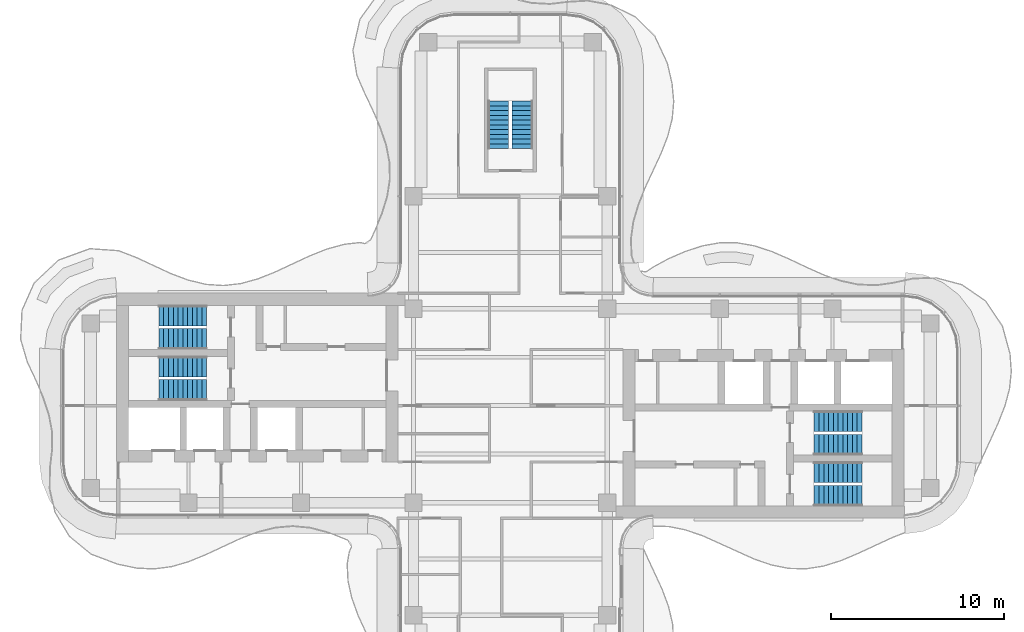
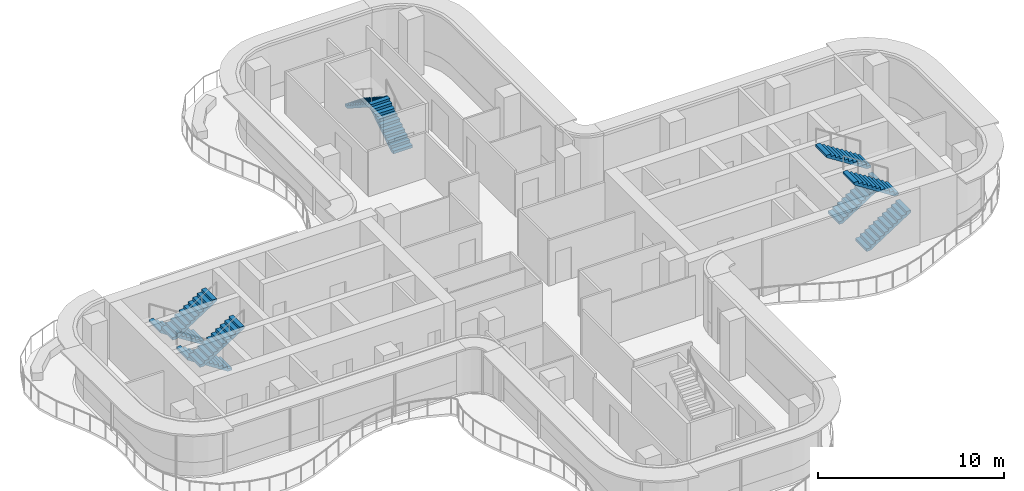
# One storey, part 15 of 17: 10 stair flights, 5 elements without a shape of their own.
"""IFC4 building model written with IfcOpenShell, lengths in metres."""

import ifcopenshell
import ifcopenshell.guid

model = None  # the IFC model being written
_history = None  # IfcOwnerHistory: only IFC2X3 demands one
_inside = {}  # id of a spatial element -> (the spatial element, [elements in it])
_under = {}  # id of a project, library or spatial element -> (it, [spatial elements below it])
_declared = {}  # id of a project -> (the project, [libraries it declares])
_typed = {}  # id of a type object -> (the type object, [elements of that type])
_made_of = {}  # id of a material, layer set ... -> (it, [elements and type objects made of it])


def new_model(schema):
    """Start an empty IFC model of exactly this schema.

    Asked for "IFC4X3", IfcOpenShell would pick the latest addendum, in which some entities
    have other attributes; the version numbers below select the first issue.
    IFC2X3 requires an IfcOwnerHistory on every rooted entity: one is made here for all.
    """
    global model, _history
    if schema == "IFC4X3":
        model = ifcopenshell.file(schema_version=(4, 3, 0, 0))
    else:
        model = ifcopenshell.file(schema=schema)
    _inside.clear()
    _under.clear()
    _declared.clear()
    _typed.clear()
    _made_of.clear()
    _history = None
    if model.schema == "IFC2X3":
        org = make("IfcOrganization", Name="unknown")
        user = make(
            "IfcPersonAndOrganization",
            ThePerson=make("IfcPerson", FamilyName="unknown"),
            TheOrganization=org,
        )
        app = make(
            "IfcApplication",
            ApplicationDeveloper=org,
            Version="unknown",
            ApplicationFullName="unknown",
            ApplicationIdentifier="unknown",
        )
        _history = make(
            "IfcOwnerHistory",
            OwningUser=user,
            OwningApplication=app,
            ChangeAction="ADDED",
            CreationDate=0,
        )
    return model


def make(cls, **values):
    """One entity of the class cls with the attributes given. An attribute that is None is left unset."""
    return model.create_entity(
        cls, **{name: value for name, value in values.items() if value is not None}
    )


def rooted(cls, **values):
    """An entity with a GlobalId (a new one), such as an element, a storey or a relation."""
    return make(cls, GlobalId=ifcopenshell.guid.new(), OwnerHistory=_history, **values)


def si_unit(unit_type, name, prefix=None):
    """IfcSIUnit, for example si_unit("LENGTHUNIT", "METRE", prefix="MILLI")."""
    return make("IfcSIUnit", UnitType=unit_type, Prefix=prefix, Name=name)


def assignment(units):
    """IfcUnitAssignment: the units of a project."""
    return None if units is None else make("IfcUnitAssignment", Units=units)


def point(xyz):
    """IfcCartesianPoint."""
    return None if xyz is None else make("IfcCartesianPoint", Coordinates=xyz)


def direction(xyz):
    """IfcDirection."""
    return None if xyz is None else make("IfcDirection", DirectionRatios=xyz)


def frame(location, z_axis=None, x_axis=None):
    """IfcAxis2Placement3D, a coordinate frame: its origin and axes. An axis left out is left unset."""
    return make(
        "IfcAxis2Placement3D",
        Location=point(location),
        Axis=direction(z_axis),
        RefDirection=direction(x_axis),
    )


def origin():
    """The frame at (0, 0, 0) with its axes left unset."""
    return frame((0.0, 0.0, 0.0))


def place(relative_to, where):
    """IfcLocalPlacement: puts the frame where relative to a parent placement (None: the world)."""
    return make(
        "IfcLocalPlacement", PlacementRelTo=relative_to, RelativePlacement=where
    )


def context(
    kind, dimensions, precision=None, world=None, true_north=None, identifier=None
):
    """IfcGeometricRepresentationContext, for example the 3D "Model" context."""
    return make(
        "IfcGeometricRepresentationContext",
        ContextIdentifier=identifier,
        ContextType=kind,
        CoordinateSpaceDimension=dimensions,
        Precision=precision,
        WorldCoordinateSystem=world,
        TrueNorth=true_north,
    )


def subcontext(parent, identifier, kind, view, scale=None):
    """IfcGeometricRepresentationSubContext, for example "Body" below "Model"."""
    return make(
        "IfcGeometricRepresentationSubContext",
        ContextIdentifier=identifier,
        ContextType=kind,
        ParentContext=parent,
        TargetScale=scale,
        TargetView=view,
    )


def project(units=None, contexts=None):
    """IfcProject with its units and contexts."""
    return rooted(
        "IfcProject",
        Name="project",
        RepresentationContexts=contexts,
        UnitsInContext=assignment(units),
    )


def spatial(cls, under=None, at=None, **own):
    """A site, building, storey or space (cls), placed at a placement, below another one or the project."""
    s = rooted(cls, ObjectPlacement=at, **own)
    if under is not None:
        _under.setdefault(under.id(), (under, []))[1].append(s)
    return s


def polyline(points):
    """IfcPolyline through the points."""
    return make("IfcPolyline", Points=[point(p) for p in points])


def outline(outer, holes=None, kind="AREA"):
    """IfcArbitraryClosedProfileDef: a profile drawn as a closed curve; with holes, ...WithVoids."""
    if holes is None:
        return make("IfcArbitraryClosedProfileDef", ProfileType=kind, OuterCurve=outer)
    return make(
        "IfcArbitraryProfileDefWithVoids",
        ProfileType=kind,
        OuterCurve=outer,
        InnerCurves=holes,
    )


def extrude(swept, where, along, depth):
    """IfcExtrudedAreaSolid: the profile swept, set in the frame where, extruded along a direction by depth."""
    return make(
        "IfcExtrudedAreaSolid",
        SweptArea=swept,
        Position=where,
        ExtrudedDirection=direction(along),
        Depth=depth,
    )


def shape(context_of_items, identifier, shape_type, items):
    """IfcShapeRepresentation: the items that make up one representation, for example the "Body"."""
    return make(
        "IfcShapeRepresentation",
        ContextOfItems=context_of_items,
        RepresentationIdentifier=identifier,
        RepresentationType=shape_type,
        Items=items,
    )


def source(mapping_origin, context_of_items, identifier, shape_type, items):
    """IfcRepresentationMap: a shape defined once, which mapped items show again and again."""
    return make(
        "IfcRepresentationMap",
        MappingOrigin=mapping_origin,
        MappedRepresentation=shape(context_of_items, identifier, shape_type, items),
    )


def transform(
    local_origin,
    x_axis=None,
    y_axis=None,
    z_axis=None,
    scale=None,
    scale2=None,
    scale3=None,
    uniform=True,
):
    """IfcCartesianTransformationOperator3D, or its non-uniform kind. x_axis, y_axis, z_axis: its Axis1, 2, 3."""
    if uniform:
        return make(
            "IfcCartesianTransformationOperator3D",
            Axis1=direction(x_axis),
            Axis2=direction(y_axis),
            LocalOrigin=point(local_origin),
            Scale=scale,
            Axis3=direction(z_axis),
        )
    return make(
        "IfcCartesianTransformationOperator3DnonUniform",
        Axis1=direction(x_axis),
        Axis2=direction(y_axis),
        LocalOrigin=point(local_origin),
        Scale=scale,
        Axis3=direction(z_axis),
        Scale2=scale2,
        Scale3=scale3,
    )


def mapped(mapping_source, mapping_target):
    """IfcMappedItem: shows the shape of a source again, moved by a transform."""
    return make(
        "IfcMappedItem", MappingSource=mapping_source, MappingTarget=mapping_target
    )


def material(Name=None, Category=None):
    """IfcMaterial."""
    return make("IfcMaterial", Name=Name, Category=Category)


def made_of(thing, what):
    """Note that an element or type object is made of a material, layer set ...; save() writes the relation."""
    if what is not None:
        _made_of.setdefault(what.id(), (what, []))[1].append(thing)
    return thing


def type_object(cls, material=None, **own):
    """A type object (cls), such as IfcWallType, which elements share."""
    return made_of(rooted(cls, **own), material)


def element(
    cls,
    number,
    at=None,
    inside=None,
    cuts=None,
    type_object=None,
    material=None,
    context=None,
    identifier="Body",
    shape_type=None,
    held_by="IfcProductDefinitionShape",
    body=None,
    shapes=None,
    **own,
):
    """One element of the class cls, such as IfcWall. Its Tag is "e" and its number.

    at: its placement. inside: the storey or other place that contains it. cuts: it is an
    opening in that element (IfcRelVoidsElement). A single representation is given by context,
    identifier, shape_type and body (its items); several are given by shapes. held_by: the class
    of the entity that holds the representations. save() writes the other relations.
    """
    e = rooted(cls, Tag="e%d" % number, ObjectPlacement=at, **own)
    if body is not None:
        shapes = [shape(context, identifier, shape_type, body)]
    if shapes is not None:
        e.Representation = make(held_by, Representations=shapes)
    if inside is not None:
        _inside.setdefault(inside.id(), (inside, []))[1].append(e)
    if cuts is not None:
        rooted(
            "IfcRelVoidsElement", RelatingBuildingElement=cuts, RelatedOpeningElement=e
        )
    if type_object is not None:
        _typed.setdefault(type_object.id(), (type_object, []))[1].append(e)
    return made_of(e, material)


def aggregate(whole, parts):
    """IfcRelAggregates: a whole, such as a stair, and the parts it consists of."""
    return rooted("IfcRelAggregates", RelatingObject=whole, RelatedObjects=parts)


def save(model, path):
    """Write the relations noted so far, then the file.

    IfcRelAggregates (storeys below a building ...), IfcRelContainedInSpatialStructure (elements
    in a storey), IfcRelDefinesByType, IfcRelAssociatesMaterial and IfcRelDeclares: one each for
    every whole, place, type object, material and project.
    """
    for whole, parts in _under.values():
        aggregate(whole, parts)
    for where, things in _inside.values():
        rooted(
            "IfcRelContainedInSpatialStructure",
            RelatedElements=things,
            RelatingStructure=where,
        )
    for kind, things in _typed.values():
        rooted("IfcRelDefinesByType", RelatedObjects=things, RelatingType=kind)
    for what, things in _made_of.values():
        rooted("IfcRelAssociatesMaterial", RelatedObjects=things, RelatingMaterial=what)
    for by, libraries in _declared.values():
        rooted("IfcRelDeclares", RelatingContext=by, RelatedDefinitions=libraries)
    model.write(path)


model = new_model("IFC4")

# Units and contexts
model_context = context("Model", 3, precision=1e-05, world=origin(), true_north=direction((0.0, 1.0)))
body_context = subcontext(model_context, "Body", "Model", "MODEL_VIEW")
ifc_project = project(units=[si_unit("LENGTHUNIT", "METRE"), si_unit("AREAUNIT", "SQUARE_METRE"), si_unit("VOLUMEUNIT", "CUBIC_METRE"), si_unit("PLANEANGLEUNIT", "RADIAN"), si_unit("MASSUNIT", "GRAM", prefix="KILO")], contexts=[model_context])

# Site, building, storey
site_placement = place(None, origin())
site = spatial("IfcSite", under=ifc_project, at=site_placement, CompositionType="ELEMENT")
building_placement = place(site_placement, origin())
building = spatial("IfcBuilding", under=site, at=building_placement, Name="Trellis Farm Tower", CompositionType="ELEMENT")
storey_placement = place(building_placement, frame((0.0, 0.0, 283.300048828125)))
storey = spatial("IfcBuildingStorey", under=building, at=storey_placement, Name="L63", CompositionType="ELEMENT", Elevation=283.300048828125)

# Stair, stair flights
ifc_material = material(Name="Concrete C50/60", Category="concrete")
stair_type = type_object("IfcStairType", Name="CORE EXIT STAIR 22 RISERS 177 MM", PredefinedType="HALF_TURN_STAIR", material=ifc_material)
placement = place(storey_placement, origin())
stair_1 = element("IfcStair", 1, at=placement, inside=storey, type_object=stair_type, Name="Exit stair N", PredefinedType="HALF_TURN_STAIR")
stair_flight_type = type_object("IfcStairFlightType", Name="STAIR FLIGHT 11 RISERS 177 MM", PredefinedType="STRAIGHT", material=ifc_material)
shared_shape = source(origin(), body_context, "Body", "SweptSolid", [
    extrude(outline(polyline([(0.0, 0.0), (0.0, 0.17724609375), (0.27490234375, 0.17724609375), (0.27490234375, 0.3544921875), (0.550048828125, 0.3544921875), (0.550048828125, 0.53173828125), (0.824951171875, 0.53173828125), (0.824951171875, 0.708984375), (1.10009765625, 0.708984375), (1.10009765625, 0.886474609375), (1.375, 0.886474609375), (1.375, 1.063720703125), (1.64990234375, 1.063720703125), (1.64990234375, 1.240966796875), (1.925048828125, 1.240966796875), (1.925048828125, 1.418212890625), (2.199951171875, 1.418212890625), (2.199951171875, 1.595458984375), (2.47509765625, 1.595458984375), (2.47509765625, 1.772705078125), (2.75, 1.772705078125), (2.75, 1.949951171875), (2.75, 1.6181640625), (0.23974609375, 0.0), (0.0, 0.0)])), frame((0.0, 0.60009765625, 0.0), z_axis=(0.0, -1.0, 0.0), x_axis=(1.0, 0.0, 0.0)), (0.0, 0.0, 1.0), 1.199951171875),
])
stair_flight_1_placement = place(storey_placement, frame((0.699951171875, 14.85009765625, 0.0), z_axis=(0.0, 0.0, 1.0), x_axis=(0.0, 1.0, 0.0)))
stair_flight_1 = element("IfcStairFlight", 2, at=stair_flight_1_placement, type_object=stair_flight_type, Name="STN flight 1", NumberOfRisers=11, NumberOfTreads=10, PredefinedType="STRAIGHT", RiserHeight=0.177272727, TreadLength=0.275, context=body_context, shape_type="MappedRepresentation", body=[
    mapped(shared_shape, transform((0.0, 0.0, 0.0))),
])
stair_flight_2_placement = place(storey_placement, frame((-0.699951171875, 17.60009765625, 1.949951171875), z_axis=(0.0, 0.0, 1.0), x_axis=(0.0, -1.0, 0.0)))
stair_flight_2 = element("IfcStairFlight", 3, at=stair_flight_2_placement, type_object=stair_flight_type, Name="STN flight 2", NumberOfRisers=11, NumberOfTreads=10, PredefinedType="STRAIGHT", RiserHeight=0.177272727, TreadLength=0.275, context=body_context, shape_type="MappedRepresentation", body=[
    mapped(shared_shape, transform((0.0, 0.0, 0.0))),
])
aggregate(stair_1, [stair_flight_1, stair_flight_2])

stair_2 = element("IfcStair", 4, at=placement, inside=storey, type_object=stair_type, Name="Exit stair E1", PredefinedType="HALF_TURN_STAIR")
stair_flight_3_placement = place(storey_placement, frame((17.550048828125, -5.199951171875, 0.0), z_axis=(0.0, 0.0, 1.0), x_axis=(1.0, 0.0, 0.0)))
stair_flight_3 = element("IfcStairFlight", 5, at=stair_flight_3_placement, type_object=stair_flight_type, Name="STE1 flight 1", NumberOfRisers=11, NumberOfTreads=10, PredefinedType="STRAIGHT", RiserHeight=0.177272727, TreadLength=0.275, context=body_context, shape_type="MappedRepresentation", body=[
    mapped(shared_shape, transform((0.0, 0.0, 0.0))),
])
stair_flight_4_placement = place(storey_placement, frame((20.300048828125, -3.85009765625, 1.949951171875), z_axis=(0.0, 0.0, 1.0), x_axis=(-1.0, 0.0, 0.0)))
stair_flight_4 = element("IfcStairFlight", 6, at=stair_flight_4_placement, type_object=stair_flight_type, Name="STE1 flight 2", NumberOfRisers=11, NumberOfTreads=10, PredefinedType="STRAIGHT", RiserHeight=0.177272727, TreadLength=0.275, context=body_context, shape_type="MappedRepresentation", body=[
    mapped(shared_shape, transform((0.0, 0.0, 0.0))),
])
aggregate(stair_2, [stair_flight_3, stair_flight_4])

stair_3 = element("IfcStair", 7, at=placement, inside=storey, type_object=stair_type, Name="Exit stair E2", PredefinedType="HALF_TURN_STAIR")
stair_flight_5_placement = place(storey_placement, frame((17.550048828125, -2.25, 0.0), z_axis=(0.0, 0.0, 1.0), x_axis=(1.0, 0.0, 0.0)))
stair_flight_5 = element("IfcStairFlight", 8, at=stair_flight_5_placement, type_object=stair_flight_type, Name="STE2 flight 1", NumberOfRisers=11, NumberOfTreads=10, PredefinedType="STRAIGHT", RiserHeight=0.177272727, TreadLength=0.275, context=body_context, shape_type="MappedRepresentation", body=[
    mapped(shared_shape, transform((0.0, 0.0, 0.0))),
])
stair_flight_6_placement = place(storey_placement, frame((20.300048828125, -0.89990234375, 1.949951171875), z_axis=(0.0, 0.0, 1.0), x_axis=(-1.0, 0.0, 0.0)))
stair_flight_6 = element("IfcStairFlight", 9, at=stair_flight_6_placement, type_object=stair_flight_type, Name="STE2 flight 2", NumberOfRisers=11, NumberOfTreads=10, PredefinedType="STRAIGHT", RiserHeight=0.177272727, TreadLength=0.275, context=body_context, shape_type="MappedRepresentation", body=[
    mapped(shared_shape, transform((0.0, 0.0, 0.0))),
])
aggregate(stair_3, [stair_flight_5, stair_flight_6])

stair_4 = element("IfcStair", 10, at=placement, inside=storey, type_object=stair_type, Name="Exit stair W1", PredefinedType="HALF_TURN_STAIR")
stair_flight_7_placement = place(storey_placement, frame((-17.550048828125, 5.199951171875, 0.0), z_axis=(0.0, 0.0, 1.0), x_axis=(-1.0, 0.0, 0.0)))
stair_flight_7 = element("IfcStairFlight", 11, at=stair_flight_7_placement, type_object=stair_flight_type, Name="STW1 flight 1", NumberOfRisers=11, NumberOfTreads=10, PredefinedType="STRAIGHT", RiserHeight=0.177272727, TreadLength=0.275, context=body_context, shape_type="MappedRepresentation", body=[
    mapped(shared_shape, transform((0.0, 0.0, 0.0))),
])
stair_flight_8_placement = place(storey_placement, frame((-20.300048828125, 3.85009765625, 1.949951171875), z_axis=(0.0, 0.0, 1.0), x_axis=(1.0, 0.0, 0.0)))
stair_flight_8 = element("IfcStairFlight", 12, at=stair_flight_8_placement, type_object=stair_flight_type, Name="STW1 flight 2", NumberOfRisers=11, NumberOfTreads=10, PredefinedType="STRAIGHT", RiserHeight=0.177272727, TreadLength=0.275, context=body_context, shape_type="MappedRepresentation", body=[
    mapped(shared_shape, transform((0.0, 0.0, 0.0))),
])
aggregate(stair_4, [stair_flight_7, stair_flight_8])

stair_5 = element("IfcStair", 13, at=placement, inside=storey, type_object=stair_type, Name="Exit stair W2", PredefinedType="HALF_TURN_STAIR")
stair_flight_9_placement = place(storey_placement, frame((-17.550048828125, 2.25, 0.0), z_axis=(0.0, 0.0, 1.0), x_axis=(-1.0, 0.0, 0.0)))
stair_flight_9 = element("IfcStairFlight", 14, at=stair_flight_9_placement, type_object=stair_flight_type, Name="STW2 flight 1", NumberOfRisers=11, NumberOfTreads=10, PredefinedType="STRAIGHT", RiserHeight=0.177272727, TreadLength=0.275, context=body_context, shape_type="MappedRepresentation", body=[
    mapped(shared_shape, transform((0.0, 0.0, 0.0))),
])
stair_flight_10_placement = place(storey_placement, frame((-20.300048828125, 0.89990234375, 1.949951171875), z_axis=(0.0, 0.0, 1.0), x_axis=(1.0, 0.0, 0.0)))
stair_flight_10 = element("IfcStairFlight", 15, at=stair_flight_10_placement, type_object=stair_flight_type, Name="STW2 flight 2", NumberOfRisers=11, NumberOfTreads=10, PredefinedType="STRAIGHT", RiserHeight=0.177272727, TreadLength=0.275, context=body_context, shape_type="MappedRepresentation", body=[
    mapped(shared_shape, transform((0.0, 0.0, 0.0))),
])
aggregate(stair_5, [stair_flight_9, stair_flight_10])

save(model, "model.ifc")
